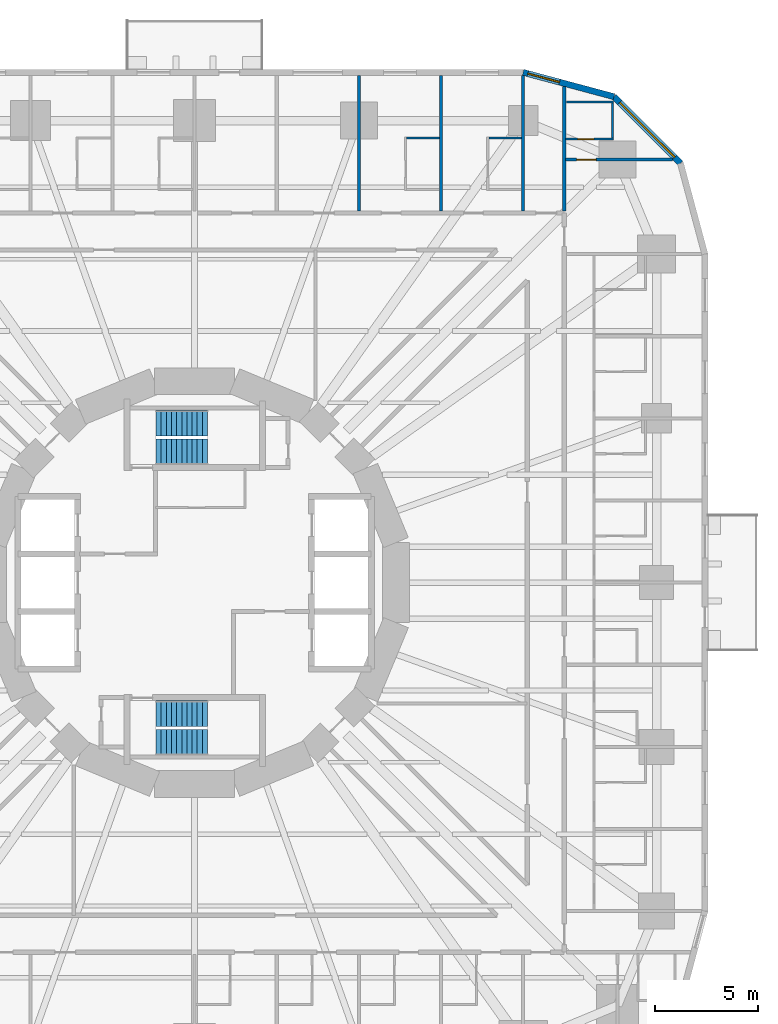
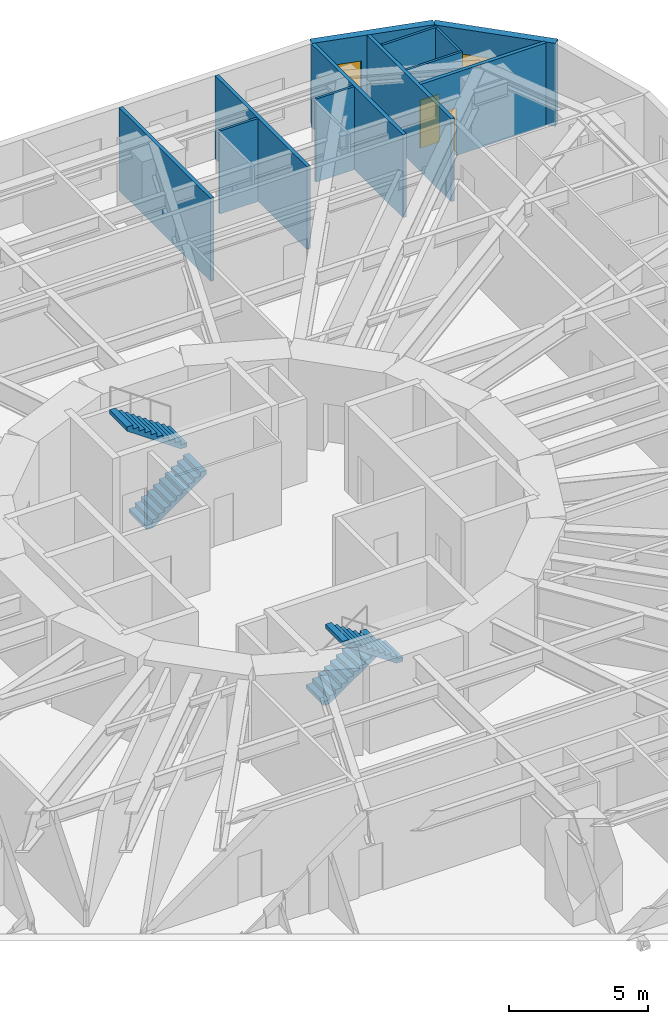
# One storey, part 12 of 14: 12 walls, 4 stair flights, 2 doors, 2 windows, 4 openings, 2 elements without a shape of their own.
"""IFC4 building model written with IfcOpenShell, lengths in metres."""

from ifc_helpers import new_model, si_unit, direction, frame, frame_2d, origin, place, context, subcontext, project, spatial, polyline, rectangle, outline, extrude, material, layer, layer_set, type_object, element, fill, aggregate, save


model = new_model("IFC4")

# Units and contexts
model_context = context("Model", 3, precision=1e-05, world=origin(), true_north=direction((0.0, 1.0)))
body_context = subcontext(model_context, "Body", "Model", "MODEL_VIEW")
ifc_project = project(units=[si_unit("LENGTHUNIT", "METRE"), si_unit("AREAUNIT", "SQUARE_METRE"), si_unit("VOLUMEUNIT", "CUBIC_METRE"), si_unit("PLANEANGLEUNIT", "RADIAN"), si_unit("MASSUNIT", "GRAM", prefix="KILO")], contexts=[model_context])

# Site, building, storey
site_placement = place(None, origin())
site = spatial("IfcSite", under=ifc_project, at=site_placement, CompositionType="ELEMENT")
building_placement = place(site_placement, origin())
building = spatial("IfcBuilding", under=site, at=building_placement, Name="Nakasero Lantern House", CompositionType="ELEMENT")
storey_placement = place(building_placement, frame((0.0, 0.0, 50.64990234375)))
storey = spatial("IfcBuildingStorey", under=building, at=storey_placement, Name="L12", CompositionType="ELEMENT", Elevation=50.64990234375)

# Wall, opening, door
ifc_material_1 = material(Name="Blockwork", Category="masonry")
ifc_layer_1 = layer(ifc_material_1, 0.10009765625)
ifc_layer_set_1 = layer_set([ifc_layer_1], Name="En-suite wall 100")
wall_type_1 = type_object("IfcWallType", Name="En-suite wall 100", PredefinedType="PARTITIONING", material=ifc_layer_set_1)
wall_1_placement = place(storey_placement, frame((18.06494140625, 21.59619140625, 0.0), z_axis=(0.0, 0.0, 1.0), x_axis=(1.0, 0.0, 0.0)))
wall_1 = element("IfcWall", 1, at=wall_1_placement, inside=storey, type_object=wall_type_1, Name="En-suite wall L12 ES0-09", PredefinedType="PARTITIONING", context=body_context, shape_type="SweptSolid", body=[
    extrude(rectangle(XDim=2.3349609375, YDim=0.10009765625, at=frame_2d((1.16748046875, 0.0))), origin(), (0.0, 0.0, 1.0), 3.650146484375),
])
opening_1_placement = place(wall_1_placement, frame((0.5849609375, 0.0, 0.0)))
opening_1 = element("IfcOpeningElement", 2, at=opening_1_placement, cuts=wall_1, Name="Opening D02", PredefinedType="OPENING", context=body_context, shape_type="SweptSolid", body=[
    extrude(rectangle(XDim=0.800048828125, YDim=2.10009765625, at=frame_2d((0.39990234375, 1.050048828125))), frame((0.0, 0.070068359375, 0.0), z_axis=(0.0, -1.0, 0.0), x_axis=(1.0, 0.0, 0.0)), (0.0, 0.0, 1.0), 0.14013671875),
])
ifc_material_2 = material(Name="Timber C24", Category="wood")
door_type_1 = type_object("IfcDoorType", Name="En-suite door 800", OperationType="SINGLE_SWING_RIGHT", PredefinedType="DOOR", material=ifc_material_2)
door_1_placement = place(opening_1_placement, origin())
door_1 = element("IfcDoor", 3, at=door_1_placement, inside=storey, type_object=door_type_1, Name="Door L12 DE0-09", OperationType="SINGLE_SWING_LEFT", OverallHeight=2.10009765625, OverallWidth=0.800048828125, PredefinedType="DOOR", context=body_context, shape_type="SweptSolid", body=[
    extrude(rectangle(XDim=0.800048828125, YDim=2.10009765625, at=frame_2d((0.39990234375, 1.050048828125))), frame((0.0, 0.02490234375, 0.0), z_axis=(0.0, -1.0, 0.0), x_axis=(1.0, 0.0, 0.0)), (0.0, 0.0, 1.0), 0.050048828125),
])
fill(opening_1, door_1)

# Walls
wall_2_placement = place(storey_placement, frame((20.35009765625, 21.646240234375, 0.0), z_axis=(0.0, 0.0, 1.0), x_axis=(0.0, 1.0, 0.0)))
element("IfcWall", 4, at=wall_2_placement, inside=storey, type_object=wall_type_1, Name="En-suite wall L12 EE0-09", PredefinedType="PARTITIONING", context=body_context, shape_type="SweptSolid", body=[
    extrude(rectangle(XDim=1.699951171875, YDim=0.10009765625, at=frame_2d((0.85009765625, 0.0))), origin(), (0.0, 0.0, 1.0), 3.650146484375),
])
wall_3_placement = place(storey_placement, frame((18.10009765625, 23.396240234375, 0.0), z_axis=(0.0, 0.0, 1.0), x_axis=(1.0, 0.0, 0.0)))
element("IfcWall", 5, at=wall_3_placement, inside=storey, type_object=wall_type_1, Name="En-suite wall L12 EV0-09", PredefinedType="PARTITIONING", context=body_context, shape_type="SweptSolid", body=[
    extrude(rectangle(XDim=2.2998046875, YDim=0.10009765625, at=frame_2d((1.14990234375, 0.0))), origin(), (0.0, 0.0, 1.0), 3.650146484375),
])
for number, where, z_axis, x_axis, name in (
    (6, (15.925048828125, 21.64990234375, 0.0), (0.0, 0.0, 1.0), (-1.0, 0.0, 0.0), "En-suite wall L12 EE1-01"),
    (7, (11.925048828125, 21.64990234375, 0.0), (0.0, 0.0, 1.0), (-1.0, 0.0, 0.0), "En-suite wall L12 EE1-02"),
):
    element("IfcWall", number, at=place(storey_placement, frame(where, z_axis=z_axis, x_axis=x_axis)), inside=storey, type_object=wall_type_1, Name=name, PredefinedType="PARTITIONING", context=body_context, shape_type="SweptSolid", body=[
        extrude(rectangle(XDim=1.60009765625, YDim=0.10009765625, at=frame_2d((0.800048828125, 0.0))), origin(), (0.0, 0.0, 1.0), 3.650146484375),
    ])

# Wall, opening, window
ifc_material_3 = material(Name="Aluminium rainscreen on blockwork", Category="masonry")
ifc_layer_2 = layer(ifc_material_3, 0.300048828125)
ifc_layer_set_2 = layer_set([ifc_layer_2], Name="Facade wall 300")
wall_type_2 = type_object("IfcWallType", Name="Facade wall 300", PredefinedType="SOLIDWALL", material=ifc_layer_set_2)
wall_4_placement = place(storey_placement, frame((23.664306640625, 20.425048828125, 0.0), z_axis=(0.0, 0.0, 1.0), x_axis=(-0.707106781187, 0.707106781187, 0.0)))
wall_4 = element("IfcWall", 8, at=wall_4_placement, inside=storey, type_object=wall_type_2, Name="Facade wall L12 FW0C2", PredefinedType="SOLIDWALL", context=body_context, shape_type="SweptSolid", body=[
    extrude(rectangle(XDim=4.5810546875, YDim=0.300048828125, at=frame_2d((2.29052734375, 0.0))), origin(), (0.0, 0.0, 1.0), 3.650146484375),
])
opening_2_placement = place(wall_4_placement, frame((0.39990234375, 0.0, 0.75)))
opening_2 = element("IfcOpeningElement", 9, at=opening_2_placement, cuts=wall_4, Name="Opening W237", PredefinedType="OPENING", context=body_context, shape_type="SweptSolid", body=[
    extrude(rectangle(XDim=3.781005859375, YDim=1.800048828125, at=frame_2d((1.890625, 0.89990234375))), frame((0.0, 0.169921875, 0.0), z_axis=(0.0, -1.0, 0.0), x_axis=(1.0, 0.0, 0.0)), (0.0, 0.0, 1.0), 0.340087890625),
])
ifc_material_4 = material(Name="Aluminium 6063-T6 and glass", Category="aluminium")
window_type_1 = type_object("IfcWindowType", Name="Corner window 3781x1800", PartitioningType="SINGLE_PANEL", PredefinedType="WINDOW", material=ifc_material_4)
window_1_placement = place(opening_2_placement, origin())
window_1 = element("IfcWindow", 10, at=window_1_placement, inside=storey, type_object=window_type_1, Name="Window L12 WC0", OverallHeight=1.800048828125, OverallWidth=3.781005859375, PartitioningType="SINGLE_PANEL", PredefinedType="WINDOW", context=body_context, shape_type="SweptSolid", body=[
    extrude(rectangle(XDim=3.781005859375, YDim=1.800048828125, at=frame_2d((1.890625, 0.89990234375))), frame((0.0, 0.030029296875, 0.0), z_axis=(0.0, -1.0, 0.0), x_axis=(1.0, 0.0, 0.0)), (0.0, 0.0, 1.0), 0.06005859375),
])
fill(opening_2, window_1)

wall_5_placement = place(storey_placement, frame((20.425048828125, 23.664306640625, 0.0), z_axis=(0.0, 0.0, 1.0), x_axis=(-0.965920218567, 0.258839972501, 0.0)))
wall_5 = element("IfcWall", 11, at=wall_5_placement, inside=storey, type_object=wall_type_2, Name="Facade wall L12 FW0C3", PredefinedType="SOLIDWALL", context=body_context, shape_type="SweptSolid", body=[
    extrude(rectangle(XDim=4.5810546875, YDim=0.300048828125, at=frame_2d((2.29052734375, 0.0))), origin(), (0.0, 0.0, 1.0), 3.650146484375),
])
opening_3_placement = place(wall_5_placement, frame((2.74609375, 0.0, 0.75)))
opening_3 = element("IfcOpeningElement", 12, at=opening_3_placement, cuts=wall_5, Name="Opening W01", PredefinedType="OPENING", context=body_context, shape_type="SweptSolid", body=[
    extrude(rectangle(XDim=1.60009765625, YDim=1.800048828125, at=frame_2d((0.800048828125, 0.89990234375))), frame((0.0, 0.169921875, 0.0), z_axis=(0.0, -1.0, 0.0), x_axis=(1.0, 0.0, 0.0)), (0.0, 0.0, 1.0), 0.340087890625),
])
ifc_material_5 = material(Name="Aluminium 6063-T6 and glass", Category="aluminium")
window_type_2 = type_object("IfcWindowType", Name="Bedroom window 1600x1800", PartitioningType="SINGLE_PANEL", PredefinedType="WINDOW", material=ifc_material_5)
window_2_placement = place(opening_3_placement, origin())
window_2 = element("IfcWindow", 13, at=window_2_placement, inside=storey, type_object=window_type_2, Name="Window L12 WN1-00", OverallHeight=1.800048828125, OverallWidth=1.60009765625, PartitioningType="SINGLE_PANEL", PredefinedType="WINDOW", context=body_context, shape_type="SweptSolid", body=[
    extrude(rectangle(XDim=1.60009765625, YDim=1.800048828125, at=frame_2d((0.800048828125, 0.89990234375))), frame((0.0, 0.030029296875, 0.0), z_axis=(0.0, -1.0, 0.0), x_axis=(1.0, 0.0, 0.0)), (0.0, 0.0, 1.0), 0.06005859375),
])
fill(opening_3, window_2)

# Wall, opening, door
ifc_material_6 = material(Name="Blockwork", Category="masonry")
ifc_layer_3 = layer(ifc_material_6, 0.14990234375)
ifc_layer_set_3 = layer_set([ifc_layer_3], Name="Party wall 150")
wall_type_3 = type_object("IfcWallType", Name="Party wall 150", PredefinedType="PARTITIONING", material=ifc_layer_set_3)
wall_6_placement = place(storey_placement, frame((18.06494140625, 20.59619140625, 0.0), z_axis=(0.0, 0.0, 1.0), x_axis=(1.0, 0.0, 0.0)))
wall_6 = element("IfcWall", 14, at=wall_6_placement, inside=storey, type_object=wall_type_3, Name="Party wall L12 PC0", PredefinedType="PARTITIONING", context=body_context, shape_type="SweptSolid", body=[
    extrude(rectangle(XDim=5.208740234375, YDim=0.14990234375, at=frame_2d((2.6044921875, 0.0))), origin(), (0.0, 0.0, 1.0), 3.650146484375),
])
opening_4_placement = place(wall_6_placement, frame((0.534912109375, 0.0, 0.0)))
opening_4 = element("IfcOpeningElement", 15, at=opening_4_placement, cuts=wall_6, Name="Opening D01", PredefinedType="OPENING", context=body_context, shape_type="SweptSolid", body=[
    extrude(rectangle(XDim=0.949951171875, YDim=2.10009765625, at=frame_2d((0.47509765625, 1.050048828125))), frame((0.0, 0.094970703125, 0.0), z_axis=(0.0, -1.0, 0.0), x_axis=(1.0, 0.0, 0.0)), (0.0, 0.0, 1.0), 0.18994140625),
])
ifc_material_7 = material(Name="Timber C24", Category="wood")
door_type_2 = type_object("IfcDoorType", Name="Bedroom door FD30S 950", OperationType="SINGLE_SWING_LEFT", PredefinedType="DOOR", material=ifc_material_7)
door_2_placement = place(opening_4_placement, origin())
door_2 = element("IfcDoor", 16, at=door_2_placement, inside=storey, type_object=door_type_2, Name="Door L12 DC0", OperationType="SINGLE_SWING_LEFT", OverallHeight=2.10009765625, OverallWidth=0.949951171875, PredefinedType="DOOR", context=body_context, shape_type="SweptSolid", body=[
    extrude(rectangle(XDim=0.949951171875, YDim=2.10009765625, at=frame_2d((0.47509765625, 1.050048828125))), frame((0.0, 0.02490234375, 0.0), z_axis=(0.0, -1.0, 0.0), x_axis=(1.0, 0.0, 0.0)), (0.0, 0.0, 1.0), 0.050048828125),
])
fill(opening_4, door_2)

# Walls
wall_7_placement = place(storey_placement, frame((18.0, 18.10009765625, 0.0), z_axis=(0.0, 0.0, 1.0), x_axis=(0.0, 1.0, 0.0)))
element("IfcWall", 17, at=wall_7_placement, inside=storey, type_object=wall_type_3, Name="Party wall L12 PW1-00", PredefinedType="PARTITIONING", context=body_context, shape_type="SweptSolid", body=[
    extrude(rectangle(XDim=6.053466796875, YDim=0.14990234375, at=frame_2d((3.02685546875, 0.0))), origin(), (0.0, 0.0, 1.0), 3.650146484375),
])
wall_8_placement = place(storey_placement, frame((16.0, 18.10009765625, 0.0), z_axis=(0.0, 0.0, 1.0), x_axis=(0.0, 1.0, 0.0)))
element("IfcWall", 18, at=wall_8_placement, inside=storey, type_object=wall_type_3, Name="Party wall L12 PW1-01", PredefinedType="PARTITIONING", context=body_context, shape_type="SweptSolid", body=[
    extrude(rectangle(XDim=6.58935546875, YDim=0.14990234375, at=frame_2d((3.294677734375, 0.0))), origin(), (0.0, 0.0, 1.0), 3.650146484375),
])
for number, where, z_axis, x_axis, name in (
    (19, (12.0, 18.10009765625, 0.0), (0.0, 0.0, 1.0), (0.0, 1.0, 0.0), "Party wall L12 PW1-02"),
    (20, (8.0, 18.10009765625, 0.0), (0.0, 0.0, 1.0), (0.0, 1.0, 0.0), "Party wall L12 PW1-03"),
):
    element("IfcWall", number, at=place(storey_placement, frame(where, z_axis=z_axis, x_axis=x_axis)), inside=storey, type_object=wall_type_3, Name=name, PredefinedType="PARTITIONING", context=body_context, shape_type="SweptSolid", body=[
        extrude(rectangle(XDim=6.599853515625, YDim=0.14990234375, at=frame_2d((3.2998046875, 0.0))), origin(), (0.0, 0.0, 1.0), 3.650146484375),
    ])

# Stair, stair flights
ifc_material_8 = material(Name="Concrete C40/50", Category="concrete")
stair_type_1 = type_object("IfcStairType", Name="Escape stair ST1 22 risers", PredefinedType="HALF_TURN_STAIR", material=ifc_material_8)
stair_1_placement = place(storey_placement, origin())
stair_1 = element("IfcStair", 21, at=stair_1_placement, inside=storey, type_object=stair_type_1, Name="Escape stair ST1 L12", PredefinedType="HALF_TURN_STAIR")
ifc_material_9 = material(Name="Concrete C40/50", Category="concrete")
stair_flight_type = type_object("IfcStairFlightType", Name="Escape stair flight", PredefinedType="STRAIGHT", material=ifc_material_9)
stair_flight_1_placement = place(storey_placement, frame((-1.875, 6.375, 0.0), z_axis=(0.0, 0.0, 1.0), x_axis=(1.0, 0.0, 0.0)))
stair_flight_1 = element("IfcStairFlight", 22, at=stair_flight_1_placement, type_object=stair_flight_type, Name="ST1 flight 1", NumberOfRisers=11, NumberOfTreads=10, PredefinedType="STRAIGHT", RiserHeight=0.175, TreadLength=0.25, context=body_context, shape_type="SweptSolid", body=[
    extrude(outline(polyline([(0.0, 0.0), (0.0, 0.175048828125), (0.25, 0.175048828125), (0.25, 0.35009765625), (0.5, 0.35009765625), (0.5, 0.52490234375), (0.75, 0.52490234375), (0.75, 0.699951171875), (1.0, 0.699951171875), (1.0, 0.875), (1.25, 0.875), (1.25, 1.050048828125), (1.5, 1.050048828125), (1.5, 1.22509765625), (1.75, 1.22509765625), (1.75, 1.39990234375), (2.0, 1.39990234375), (2.0, 1.574951171875), (2.25, 1.574951171875), (2.25, 1.75), (2.5, 1.75), (2.5, 1.925048828125), (2.5, 1.567138671875), (0.261474609375, 0.0), (0.0, 0.0)])), frame((0.0, 0.625, 0.0), z_axis=(0.0, -1.0, 0.0), x_axis=(1.0, 0.0, 0.0)), (0.0, 0.0, 1.0), 1.25),
])
stair_flight_2_placement = place(storey_placement, frame((0.625, 7.77490234375, 1.925048828125), z_axis=(0.0, 0.0, 1.0), x_axis=(-1.0, 0.0, 0.0)))
stair_flight_2 = element("IfcStairFlight", 23, at=stair_flight_2_placement, type_object=stair_flight_type, Name="ST1 flight 2", NumberOfRisers=11, NumberOfTreads=10, PredefinedType="STRAIGHT", RiserHeight=0.175, TreadLength=0.25, context=body_context, shape_type="SweptSolid", body=[
    extrude(outline(polyline([(0.0, 0.0), (0.0, 0.175048828125), (0.25, 0.175048828125), (0.25, 0.35009765625), (0.5, 0.35009765625), (0.5, 0.52490234375), (0.75, 0.52490234375), (0.75, 0.699951171875), (1.0, 0.699951171875), (1.0, 0.875), (1.25, 0.875), (1.25, 1.050048828125), (1.5, 1.050048828125), (1.5, 1.22509765625), (1.75, 1.22509765625), (1.75, 1.39990234375), (2.0, 1.39990234375), (2.0, 1.574951171875), (2.25, 1.574951171875), (2.25, 1.75), (2.5, 1.75), (2.5, 1.925048828125), (2.5, 1.567138671875), (0.261474609375, 0.0), (0.0, 0.0)])), frame((0.0, 0.625, 0.0), z_axis=(0.0, -1.0, 0.0), x_axis=(1.0, 0.0, 0.0)), (0.0, 0.0, 1.0), 1.25),
])
aggregate(stair_1, [stair_flight_1, stair_flight_2])

ifc_material_10 = material(Name="Concrete C40/50", Category="concrete")
stair_type_2 = type_object("IfcStairType", Name="Escape stair ST2 22 risers", PredefinedType="HALF_TURN_STAIR", material=ifc_material_10)
stair_2_placement = place(storey_placement, origin())
stair_2 = element("IfcStair", 24, at=stair_2_placement, inside=storey, type_object=stair_type_2, Name="Escape stair ST2 L12", PredefinedType="HALF_TURN_STAIR")
stair_flight_3_placement = place(storey_placement, frame((-1.875, -6.375, 0.0), z_axis=(0.0, 0.0, 1.0), x_axis=(1.0, 0.0, 0.0)))
stair_flight_3 = element("IfcStairFlight", 25, at=stair_flight_3_placement, type_object=stair_flight_type, Name="ST2 flight 1", NumberOfRisers=11, NumberOfTreads=10, PredefinedType="STRAIGHT", RiserHeight=0.175, TreadLength=0.25, context=body_context, shape_type="SweptSolid", body=[
    extrude(outline(polyline([(0.0, 0.0), (0.0, 0.175048828125), (0.25, 0.175048828125), (0.25, 0.35009765625), (0.5, 0.35009765625), (0.5, 0.52490234375), (0.75, 0.52490234375), (0.75, 0.699951171875), (1.0, 0.699951171875), (1.0, 0.875), (1.25, 0.875), (1.25, 1.050048828125), (1.5, 1.050048828125), (1.5, 1.22509765625), (1.75, 1.22509765625), (1.75, 1.39990234375), (2.0, 1.39990234375), (2.0, 1.574951171875), (2.25, 1.574951171875), (2.25, 1.75), (2.5, 1.75), (2.5, 1.925048828125), (2.5, 1.567138671875), (0.261474609375, 0.0), (0.0, 0.0)])), frame((0.0, 0.625, 0.0), z_axis=(0.0, -1.0, 0.0), x_axis=(1.0, 0.0, 0.0)), (0.0, 0.0, 1.0), 1.25),
])
stair_flight_4_placement = place(storey_placement, frame((0.625, -7.77490234375, 1.925048828125), z_axis=(0.0, 0.0, 1.0), x_axis=(-1.0, 0.0, 0.0)))
stair_flight_4 = element("IfcStairFlight", 26, at=stair_flight_4_placement, type_object=stair_flight_type, Name="ST2 flight 2", NumberOfRisers=11, NumberOfTreads=10, PredefinedType="STRAIGHT", RiserHeight=0.175, TreadLength=0.25, context=body_context, shape_type="SweptSolid", body=[
    extrude(outline(polyline([(0.0, 0.0), (0.0, 0.175048828125), (0.25, 0.175048828125), (0.25, 0.35009765625), (0.5, 0.35009765625), (0.5, 0.52490234375), (0.75, 0.52490234375), (0.75, 0.699951171875), (1.0, 0.699951171875), (1.0, 0.875), (1.25, 0.875), (1.25, 1.050048828125), (1.5, 1.050048828125), (1.5, 1.22509765625), (1.75, 1.22509765625), (1.75, 1.39990234375), (2.0, 1.39990234375), (2.0, 1.574951171875), (2.25, 1.574951171875), (2.25, 1.75), (2.5, 1.75), (2.5, 1.925048828125), (2.5, 1.567138671875), (0.261474609375, 0.0), (0.0, 0.0)])), frame((0.0, 0.625, 0.0), z_axis=(0.0, -1.0, 0.0), x_axis=(1.0, 0.0, 0.0)), (0.0, 0.0, 1.0), 1.25),
])
aggregate(stair_2, [stair_flight_3, stair_flight_4])

save(model, "model.ifc")
